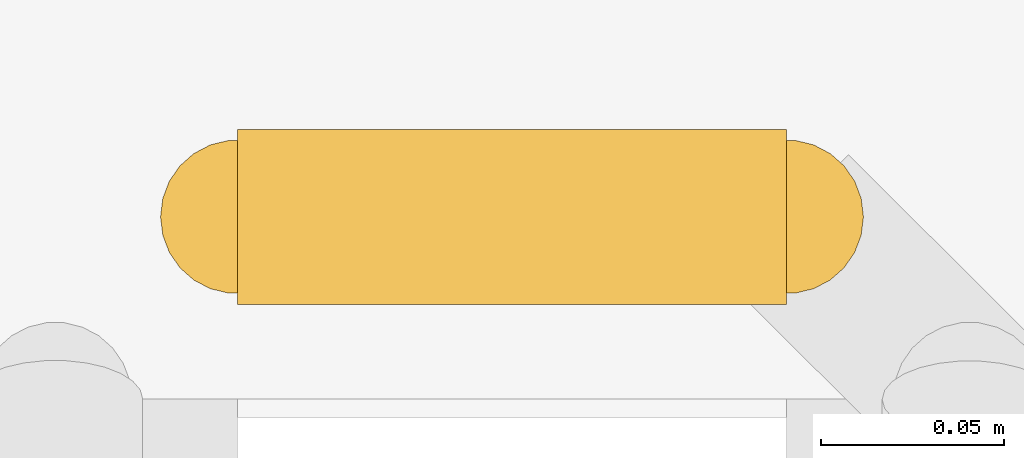
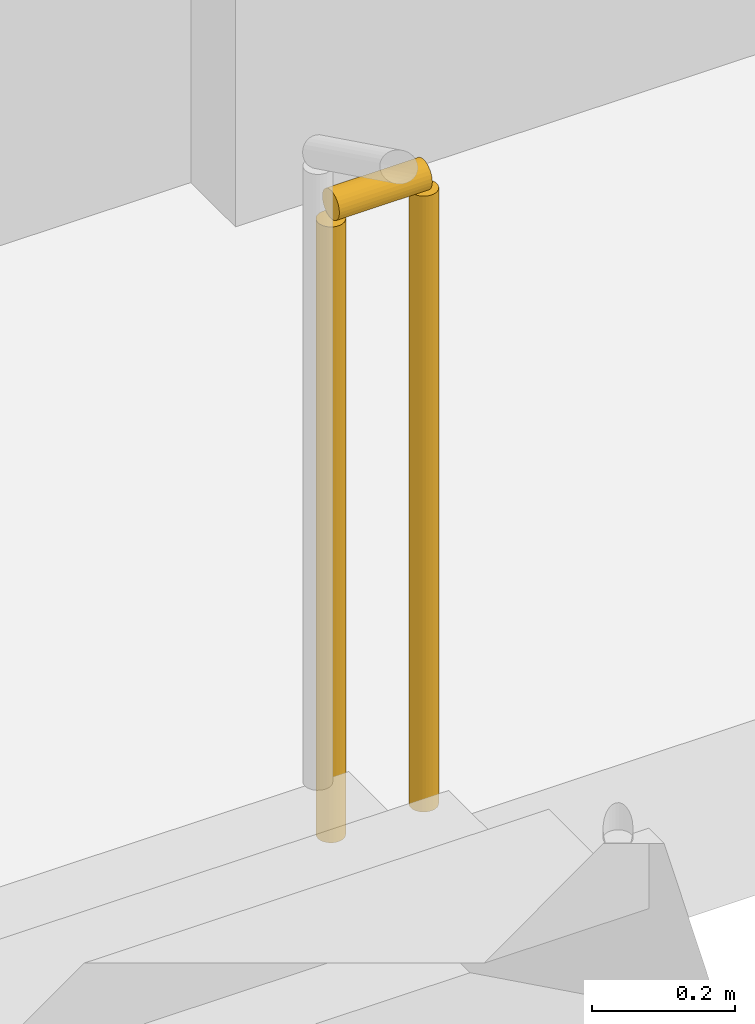
# One storey, part 15 of 20: 1 railing.
"""IFC4 building model written with IfcOpenShell, lengths in metres."""

from ifc_helpers import new_model, si_unit, direction, frame, origin, origin_2d, place, context, subcontext, project, spatial, circle, extrude, material, type_object, element, save


model = new_model("IFC4")

# Units and contexts
model_context = context("Model", 3, precision=1e-05, world=origin(), true_north=direction((0.0, 1.0)))
body_context = subcontext(model_context, "Body", "Model", "MODEL_VIEW")
ifc_project = project(units=[si_unit("LENGTHUNIT", "METRE"), si_unit("AREAUNIT", "SQUARE_METRE"), si_unit("VOLUMEUNIT", "CUBIC_METRE"), si_unit("PLANEANGLEUNIT", "RADIAN"), si_unit("MASSUNIT", "GRAM", prefix="KILO")], contexts=[model_context])

# Site, building, storey
site_placement = place(None, origin())
site = spatial("IfcSite", under=ifc_project, at=site_placement, CompositionType="ELEMENT")
building_placement = place(site_placement, origin())
building = spatial("IfcBuilding", under=site, at=building_placement, Name="Mopane Tessera Tower", CompositionType="ELEMENT")
storey_placement = place(building_placement, frame((0.0, 0.0, 25.5)))
storey = spatial("IfcBuildingStorey", under=building, at=storey_placement, Name="L04", CompositionType="ELEMENT", Elevation=25.5)

# Railing
ifc_material = material(Name="Powder-coated steel balustrade", Category="steel")
railing_type = type_object("IfcRailingType", Name="Escape stair guard 1100 mm", PredefinedType="GUARDRAIL", material=ifc_material)
railing_placement = place(storey_placement, frame((-12.35009765625, -1.35009765625, 0.0)))
element("IfcRailing", 1, at=railing_placement, inside=storey, type_object=railing_type, Name="L04 ST1 stair guard 5", PredefinedType="GUARDRAIL", context=body_context, shape_type="SweptSolid", body=[
    extrude(circle(Radius=0.02392578125, at=origin_2d()), frame((0.0, 0.0, 1.076171875), z_axis=(1.0, 0.0, 0.0), x_axis=(0.0, 1.0, 0.0)), (0.0, 0.0, 1.0), 0.150146484375),
    extrude(circle(Radius=0.02099609375, at=origin_2d()), origin(), (0.0, 0.0, 1.0), 1.052001953125),
    extrude(circle(Radius=0.02099609375, at=origin_2d()), frame((0.150146484375, 0.0, 0.0)), (0.0, 0.0, 1.0), 1.052001953125),
])

save(model, "model.ifc")
